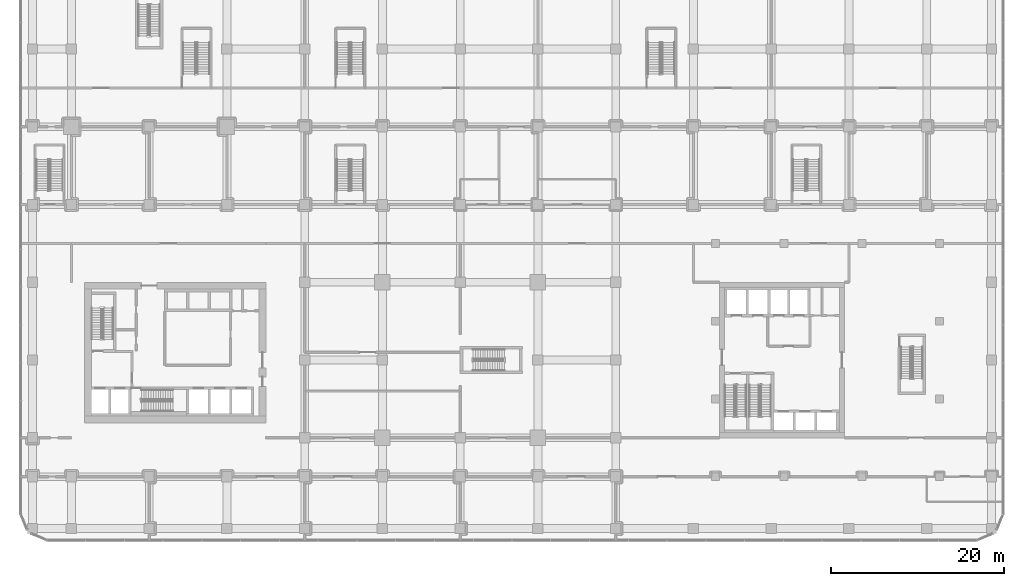
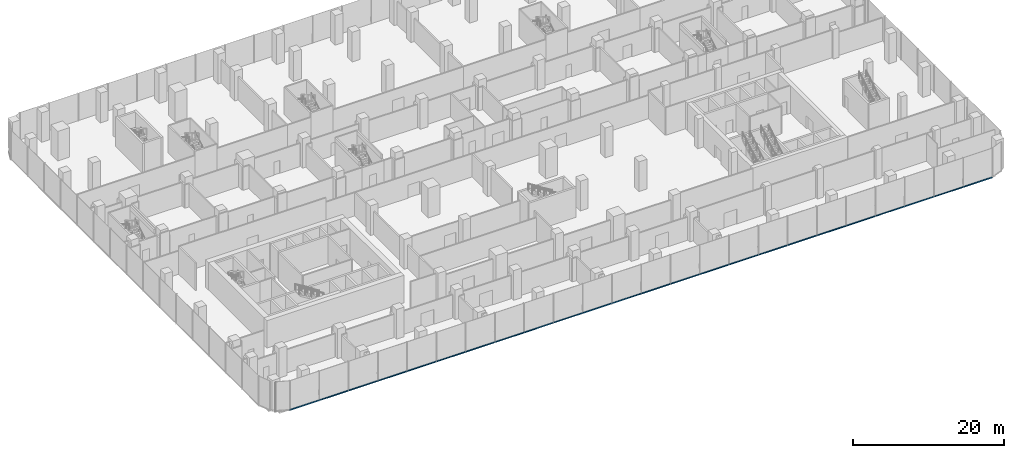
# One storey, part 5 of 42: 1 member, 1 element without a shape of its own.
"""IFC4 building model written with IfcOpenShell, lengths in metres."""

from ifc_helpers import new_model, si_unit, direction, frame, origin, origin_2d, place, context, subcontext, project, spatial, rectangle, extrude, material, layer, layer_set, material_profile, profile_set, type_object, element, aggregate, save


model = new_model("IFC4")

# Units and contexts
model_context = context("Model", 3, precision=1e-05, world=origin(), true_north=direction((0.0, 1.0)))
body_context = subcontext(model_context, "Body", "Model", "MODEL_VIEW")
ifc_project = project(units=[si_unit("LENGTHUNIT", "METRE"), si_unit("AREAUNIT", "SQUARE_METRE"), si_unit("VOLUMEUNIT", "CUBIC_METRE"), si_unit("PLANEANGLEUNIT", "RADIAN"), si_unit("MASSUNIT", "GRAM", prefix="KILO")], contexts=[model_context])

# Site, building, storey
site_placement = place(None, origin())
site = spatial("IfcSite", under=ifc_project, at=site_placement, CompositionType="ELEMENT")
building_placement = place(site_placement, origin())
building = spatial("IfcBuilding", under=site, at=building_placement, Name="Plateau Cross Towers", CompositionType="ELEMENT")
storey_placement = place(building_placement, frame((0.0, 0.0, 8.0)))
storey = spatial("IfcBuildingStorey", under=building, at=storey_placement, Name="L01", CompositionType="ELEMENT", Elevation=8.0)

# Curtain wall, member
ifc_material_1 = material(Name="Dark low-iron laminated glass", Category="glass")
ifc_layer = layer(ifc_material_1, 0.300048828125)
ifc_layer_set = layer_set([ifc_layer], Name="Dark low-iron laminated glass")
curtain_wall_type = type_object("IfcCurtainWallType", Name="Curtain wall structural silicone CW-C", PredefinedType="NOTDEFINED", material=ifc_layer_set)
curtain_wall_placement = place(storey_placement, origin())
curtain_wall = element("IfcCurtainWall", 1, at=curtain_wall_placement, inside=storey, type_object=curtain_wall_type, Name="ENV/P/L01/P-28_-118", PredefinedType="NOTDEFINED")
ifc_material_2 = material(Name="Black anodised aluminium", Category="aluminium")
ifc_material_profile = material_profile(ifc_material_2, rectangle(XDim=0.10009765625, YDim=0.14990234375, at=origin_2d()), Name="TRANSOM 100x150")
ifc_profile_set = profile_set([ifc_material_profile], Name="Black anodised aluminium")
member_type = type_object("IfcMemberType", Name="Transom 100x150 structural silicone", PredefinedType="USERDEFINED", material=ifc_profile_set)
member_placement = place(storey_placement, frame((-2.85009765625, -11.85009765625, -0.27490234375), z_axis=(1.0, 0.0, 0.0), x_axis=(0.0, 1.0, 0.0)))
member = element("IfcMember", 2, at=member_placement, type_object=member_type, Name="CW-C transom", ObjectType="TRANSOM", PredefinedType="USERDEFINED", context=body_context, shape_type="SweptSolid", body=[
    extrude(rectangle(XDim=0.10009765625, YDim=0.14990234375, at=origin_2d()), origin(), (0.0, 0.0, 1.0), 107.7001953125),
])
aggregate(curtain_wall, [member])

save(model, "model.ifc")
